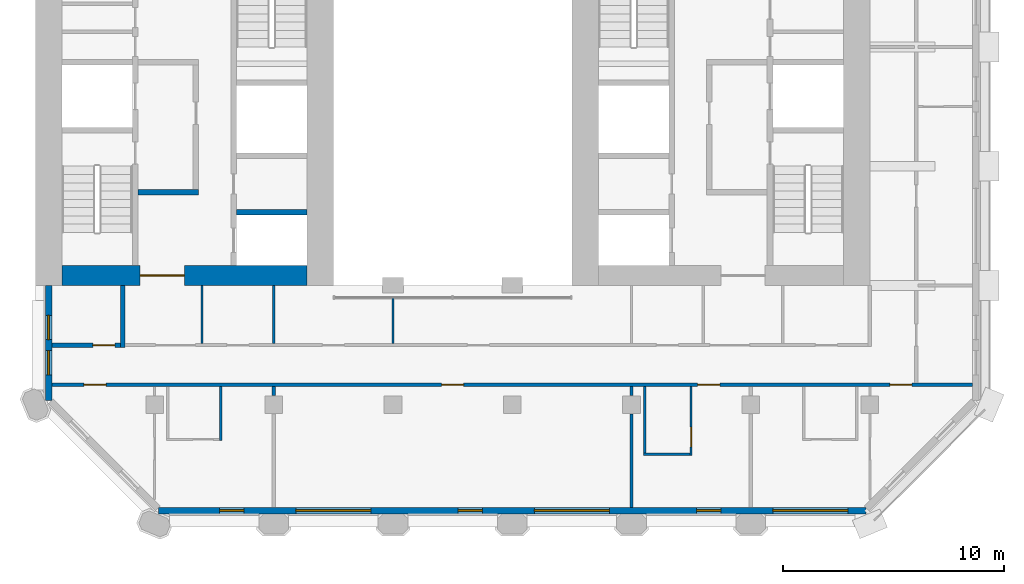
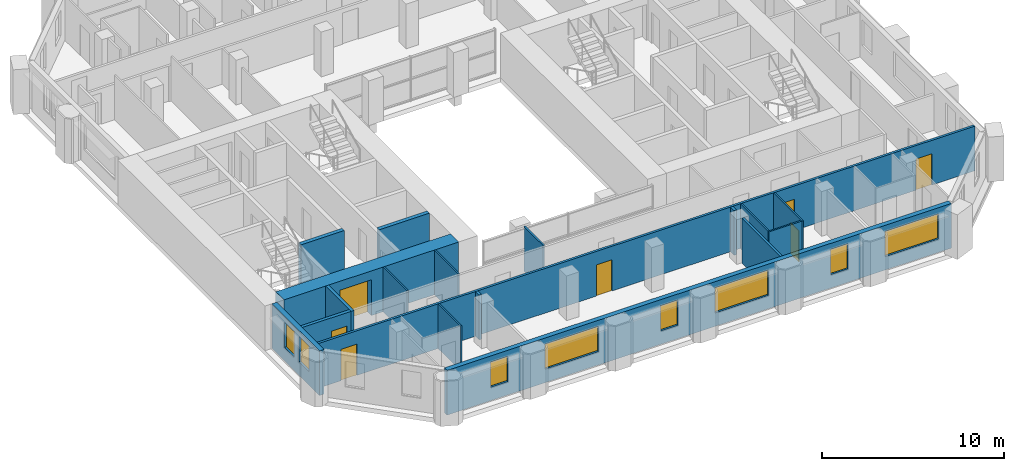
# One storey, part 4 of 12: 18 walls, 8 windows, 7 doors, 15 openings.
"""IFC4 building model written with IfcOpenShell, lengths in metres."""

from ifc_helpers import new_model, si_unit, direction, frame, frame_2d, origin, place, context, subcontext, project, spatial, rectangle, extrude, material, layer, layer_set, type_object, element, fill, save


model = new_model("IFC4")

# Units and contexts
model_context = context("Model", 3, precision=1e-05, world=origin(), true_north=direction((0.0, 1.0)))
body_context = subcontext(model_context, "Body", "Model", "MODEL_VIEW")
ifc_project = project(units=[si_unit("LENGTHUNIT", "METRE"), si_unit("AREAUNIT", "SQUARE_METRE"), si_unit("VOLUMEUNIT", "CUBIC_METRE"), si_unit("PLANEANGLEUNIT", "RADIAN"), si_unit("MASSUNIT", "GRAM", prefix="KILO")], contexts=[model_context])

# Site, building, storey
site_placement = place(None, origin())
site = spatial("IfcSite", under=ifc_project, at=site_placement, CompositionType="ELEMENT")
building_placement = place(site_placement, origin())
building = spatial("IfcBuilding", under=site, at=building_placement, Name="Tabaq Tower and Sports Hall", CompositionType="ELEMENT")
storey_placement = place(building_placement, frame((0.0, 0.0, 197.199951171875)))
storey = spatial("IfcBuildingStorey", under=building, at=storey_placement, Name="L48", CompositionType="ELEMENT", Elevation=197.199951171875)

# Wall, opening, door
ifc_material_1 = material(Name="Concrete C50/60", Category="concrete")
ifc_layer_1 = layer(ifc_material_1, 0.89990234375)
ifc_layer_set_1 = layer_set([ifc_layer_1], Name="Core wall 900 Concrete C50/60")
wall_type_1 = type_object("IfcWallType", Name="Core wall 900 Concrete C50/60", PredefinedType="SOLIDWALL", material=ifc_layer_set_1)
wall_1_placement = place(storey_placement, frame((17.699951171875, 16.64990234375, 0.0), z_axis=(0.0, 0.0, 1.0), x_axis=(-1.0, 0.0, 0.0)))
wall_1 = element("IfcWall", 1, at=wall_1_placement, inside=storey, type_object=wall_type_1, Name="Core wall W L48", PredefinedType="SOLIDWALL", context=body_context, shape_type="SweptSolid", body=[
    extrude(rectangle(XDim=11.099853515625, YDim=0.89990234375, at=frame_2d((5.5498046875, 0.0))), origin(), (0.0, 0.0, 1.0), 3.0),
])
opening_1_placement = place(wall_1_placement, frame((5.550048828125, 0.0, 0.0)))
opening_1 = element("IfcOpeningElement", 2, at=opening_1_placement, cuts=wall_1, Name="Opening PD-WL48-01", PredefinedType="OPENING", context=body_context, shape_type="SweptSolid", body=[
    extrude(rectangle(XDim=2.0, YDim=2.39990234375, at=frame_2d((1.0, 1.199951171875))), frame((0.0, 0.449951171875, 0.0), z_axis=(0.0, -1.0, 0.0), x_axis=(1.0, 0.0, 0.0)), (0.0, 0.0, 1.0), 0.89990234375),
])
ifc_material_2 = material(Name="Steel fire door", Category="steel")
door_type_1 = type_object("IfcDoorType", Name="Core entrance door 2000", OperationType="DOUBLE_DOOR_SINGLE_SWING", PredefinedType="DOOR", material=ifc_material_2)
door_1_placement = place(opening_1_placement, origin())
door_1 = element("IfcDoor", 3, at=door_1_placement, inside=storey, type_object=door_type_1, Name="Core entrance south W L48", OperationType="DOUBLE_DOOR_SINGLE_SWING", OverallHeight=2.39990234375, OverallWidth=2.0, PredefinedType="DOOR", context=body_context, shape_type="SweptSolid", body=[
    extrude(rectangle(XDim=2.0, YDim=2.39990234375, at=frame_2d((1.0, 1.199951171875))), frame((0.0, 0.02490234375, 0.0), z_axis=(0.0, -1.0, 0.0), x_axis=(1.0, 0.0, 0.0)), (0.0, 0.0, 1.0), 0.050048828125),
])
fill(opening_1, door_1)

# Wall
ifc_material_3 = material(Name="Blockwork", Category="masonry")
ifc_layer_2 = layer(ifc_material_3, 0.199951171875)
ifc_layer_set_2 = layer_set([ifc_layer_2], Name="Fire compartment wall 200 Blockwork")
wall_type_2 = type_object("IfcWallType", Name="Fire compartment wall 200 Blockwork", PredefinedType="PARTITIONING", material=ifc_layer_set_2)
wall_2_placement = place(storey_placement, frame((9.35009765625, 16.199951171875, 0.0), z_axis=(0.0, 0.0, 1.0), x_axis=(0.0, -1.0, 0.0)))
element("IfcWall", 4, at=wall_2_placement, inside=storey, type_object=wall_type_2, Name="Compartment wall L48", PredefinedType="PARTITIONING", context=body_context, shape_type="SweptSolid", body=[
    extrude(rectangle(XDim=2.800048828125, YDim=0.199951171875, at=frame_2d((1.39990234375, 0.0))), origin(), (0.0, 0.0, 1.0), 3.0),
])

# Wall, opening, door
wall_3_placement = place(storey_placement, frame((9.25, 13.5, 0.0), z_axis=(0.0, 0.0, 1.0), x_axis=(-1.0, 0.0, 0.0)))
wall_3 = element("IfcWall", 5, at=wall_3_placement, inside=storey, type_object=wall_type_2, Name="Compartment wall L48", PredefinedType="PARTITIONING", context=body_context, shape_type="SweptSolid", body=[
    extrude(rectangle(XDim=3.09912109375, YDim=0.199951171875, at=frame_2d((1.549560546875, 0.0))), origin(), (0.0, 0.0, 1.0), 3.0),
])
opening_2_placement = place(wall_3_placement, frame((0.25, 0.0, 0.0)))
opening_2 = element("IfcOpeningElement", 6, at=opening_2_placement, cuts=wall_3, Name="Opening L48-021", PredefinedType="OPENING", context=body_context, shape_type="SweptSolid", body=[
    extrude(rectangle(XDim=1.0, YDim=2.10009765625, at=frame_2d((0.5, 1.050048828125))), frame((0.0, 0.10009765625, 0.0), z_axis=(0.0, -1.0, 0.0), x_axis=(1.0, 0.0, 0.0)), (0.0, 0.0, 1.0), 0.199951171875),
])
ifc_material_4 = material(Name="Steel fire door", Category="steel")
door_type_2 = type_object("IfcDoorType", Name="Riser door 1000 right hand", OperationType="SINGLE_SWING_RIGHT", PredefinedType="DOOR", material=ifc_material_4)
door_2_placement = place(opening_2_placement, origin())
door_2 = element("IfcDoor", 7, at=door_2_placement, inside=storey, type_object=door_type_2, Name="Riser door L48-021", OperationType="SINGLE_SWING_RIGHT", OverallHeight=2.10009765625, OverallWidth=1.0, PredefinedType="DOOR", context=body_context, shape_type="SweptSolid", body=[
    extrude(rectangle(XDim=1.0, YDim=2.10009765625, at=frame_2d((0.5, 1.050048828125))), frame((0.0, 0.02490234375, 0.0), z_axis=(0.0, -1.0, 0.0), x_axis=(1.0, 0.0, 0.0)), (0.0, 0.0, 1.0), 0.050048828125),
])
fill(opening_2, door_2)

# Wall
ifc_material_5 = material(Name="Gypsum board on steel studs", Category="steel")
ifc_layer_3 = layer(ifc_material_5, 0.10009765625)
ifc_layer_set_3 = layer_set([ifc_layer_3], Name="Partition 100 Gypsum board")
wall_type_3 = type_object("IfcWallType", Name="Partition 100 Gypsum board", PredefinedType="PARTITIONING", material=ifc_layer_set_3)
wall_4_placement = place(storey_placement, frame((13.800048828125, 11.625, 0.0), z_axis=(0.0, 0.0, 1.0), x_axis=(0.0, -1.0, 0.0)))
element("IfcWall", 8, at=wall_4_placement, inside=storey, type_object=wall_type_3, Name="Partition wall L48", PredefinedType="PARTITIONING", context=body_context, shape_type="SweptSolid", body=[
    extrude(rectangle(XDim=2.449951171875, YDim=0.10009765625, at=frame_2d((1.22509765625, 0.0))), origin(), (0.0, 0.0, 1.0), 3.0),
])

# Wall, opening, door
wall_5_placement = place(storey_placement, frame((35.10009765625, 11.625, 0.0), z_axis=(0.0, 0.0, 1.0), x_axis=(0.0, -1.0, 0.0)))
wall_5 = element("IfcWall", 9, at=wall_5_placement, inside=storey, type_object=wall_type_3, Name="Partition wall L48", PredefinedType="PARTITIONING", context=body_context, shape_type="SweptSolid", body=[
    extrude(rectangle(XDim=3.125, YDim=0.10009765625, at=frame_2d((1.5625, 0.0))), origin(), (0.0, 0.0, 1.0), 3.0),
])
opening_3_placement = place(wall_5_placement, frame((1.83740234375, 0.0, 0.0)))
opening_3 = element("IfcOpeningElement", 10, at=opening_3_placement, cuts=wall_5, Name="Opening L48-016", PredefinedType="OPENING", context=body_context, shape_type="SweptSolid", body=[
    extrude(rectangle(XDim=0.89990234375, YDim=2.10009765625, at=frame_2d((0.449951171875, 1.050048828125))), frame((0.0, 0.050048828125, 0.0), z_axis=(0.0, -1.0, 0.0), x_axis=(1.0, 0.0, 0.0)), (0.0, 0.0, 1.0), 0.10009765625),
])
ifc_material_6 = material(Name="Timber leaf in steel frame", Category="steel")
door_type_3 = type_object("IfcDoorType", Name="Internal door 900 left hand", OperationType="SINGLE_SWING_LEFT", PredefinedType="DOOR", material=ifc_material_6)
door_3_placement = place(opening_3_placement, origin())
door_3 = element("IfcDoor", 11, at=door_3_placement, inside=storey, type_object=door_type_3, Name="Internal door L48-016", OperationType="SINGLE_SWING_LEFT", OverallHeight=2.10009765625, OverallWidth=0.89990234375, PredefinedType="DOOR", context=body_context, shape_type="SweptSolid", body=[
    extrude(rectangle(XDim=0.89990234375, YDim=2.10009765625, at=frame_2d((0.449951171875, 1.050048828125))), frame((0.0, 0.02490234375, 0.0), z_axis=(0.0, -1.0, 0.0), x_axis=(1.0, 0.0, 0.0)), (0.0, 0.0, 1.0), 0.050048828125),
])
fill(opening_3, door_3)

# Walls
wall_6_placement = place(storey_placement, frame((35.050048828125, 8.550048828125, 0.0), z_axis=(0.0, 0.0, 1.0), x_axis=(-1.0, 0.0, 0.0)))
element("IfcWall", 12, at=wall_6_placement, inside=storey, type_object=wall_type_3, Name="Partition wall L48", PredefinedType="PARTITIONING", context=body_context, shape_type="SweptSolid", body=[
    extrude(rectangle(XDim=2.10009765625, YDim=0.10009765625, at=frame_2d((1.050048828125, 0.0))), origin(), (0.0, 0.0, 1.0), 3.0),
])
wall_7_placement = place(storey_placement, frame((33.0, 8.60009765625, 0.0), z_axis=(0.0, 0.0, 1.0), x_axis=(0.0, 1.0, 0.0)))
element("IfcWall", 13, at=wall_7_placement, inside=storey, type_object=wall_type_3, Name="Partition wall L48", PredefinedType="PARTITIONING", context=body_context, shape_type="SweptSolid", body=[
    extrude(rectangle(XDim=3.02490234375, YDim=0.10009765625, at=frame_2d((1.512451171875, 0.0))), origin(), (0.0, 0.0, 1.0), 3.0),
])
wall_8_placement = place(storey_placement, frame((16.199951171875, 16.199951171875, 0.0), z_axis=(0.0, 0.0, 1.0), x_axis=(0.0, -1.0, 0.0)))
element("IfcWall", 14, at=wall_8_placement, inside=storey, type_object=wall_type_3, Name="Partition wall L48", PredefinedType="PARTITIONING", context=body_context, shape_type="SweptSolid", body=[
    extrude(rectangle(XDim=2.625, YDim=0.10009765625, at=frame_2d((1.3125, 0.0))), origin(), (0.0, 0.0, 1.0), 3.0),
])
wall_9_placement = place(storey_placement, frame((21.60009765625, 13.574951171875, 0.0), z_axis=(0.0, 0.0, 1.0), x_axis=(0.0, 1.0, 0.0)))
element("IfcWall", 15, at=wall_9_placement, inside=storey, type_object=wall_type_3, Name="Partition wall L48", PredefinedType="PARTITIONING", context=body_context, shape_type="SweptSolid", body=[
    extrude(rectangle(XDim=2.130126953125, YDim=0.10009765625, at=frame_2d((1.06494140625, 0.0))), origin(), (0.0, 0.0, 1.0), 3.0),
])
wall_10_placement = place(storey_placement, frame((12.949951171875, 13.574951171875, 0.0), z_axis=(0.0, 0.0, 1.0), x_axis=(0.0, 1.0, 0.0)))
element("IfcWall", 16, at=wall_10_placement, inside=storey, type_object=wall_type_3, Name="Partition wall L48", PredefinedType="PARTITIONING", context=body_context, shape_type="SweptSolid", body=[
    extrude(rectangle(XDim=2.625, YDim=0.10009765625, at=frame_2d((1.3125, 0.0))), origin(), (0.0, 0.0, 1.0), 3.0),
])
ifc_material_7 = material(Name="Blockwork", Category="masonry")
ifc_layer_4 = layer(ifc_material_7, 0.14990234375)
ifc_layer_set_4 = layer_set([ifc_layer_4], Name="Separating wall 150 Blockwork")
wall_type_4 = type_object("IfcWallType", Name="Separating wall 150 Blockwork", PredefinedType="PARTITIONING", material=ifc_layer_set_4)
wall_11_placement = place(storey_placement, frame((16.199951171875, 11.219970703125, 0.0), z_axis=(0.0, 0.0, 1.0), x_axis=(0.0, 1.0, 0.0)))
element("IfcWall", 17, at=wall_11_placement, inside=storey, type_object=wall_type_4, Name="Separating wall L48", PredefinedType="PARTITIONING", context=body_context, shape_type="SweptSolid", body=[
    extrude(rectangle(XDim=0.405029296875, YDim=0.14990234375, at=frame_2d((0.20263671875, 0.0))), origin(), (0.0, 0.0, 1.0), 3.0),
])
wall_12_placement = place(storey_placement, frame((32.39990234375, 6.15087890625, 0.0), z_axis=(0.0, 0.0, 1.0), x_axis=(0.0, 1.0, 0.0)))
element("IfcWall", 18, at=wall_12_placement, inside=storey, type_object=wall_type_4, Name="Separating wall L48", PredefinedType="PARTITIONING", context=body_context, shape_type="SweptSolid", body=[
    extrude(rectangle(XDim=4.22900390625, YDim=0.14990234375, at=frame_2d((2.114501953125, 0.0))), origin(), (0.0, 0.0, 1.0), 3.0),
])
wall_13_placement = place(storey_placement, frame((32.39990234375, 11.219970703125, 0.0), z_axis=(0.0, 0.0, 1.0), x_axis=(0.0, 1.0, 0.0)))
element("IfcWall", 19, at=wall_13_placement, inside=storey, type_object=wall_type_4, Name="Separating wall L48", PredefinedType="PARTITIONING", context=body_context, shape_type="SweptSolid", body=[
    extrude(rectangle(XDim=0.405029296875, YDim=0.14990234375, at=frame_2d((0.20263671875, 0.0))), origin(), (0.0, 0.0, 1.0), 3.0),
])

# Wall, openings, doors
wall_14_placement = place(storey_placement, frame((6.15087890625, 11.699951171875, 0.0), z_axis=(0.0, 0.0, 1.0), x_axis=(1.0, 0.0, 0.0)))
wall_14 = element("IfcWall", 20, at=wall_14_placement, inside=storey, type_object=wall_type_4, Name="Separating wall L48", PredefinedType="PARTITIONING", context=body_context, shape_type="SweptSolid", body=[
    extrude(rectangle(XDim=41.6982421875, YDim=0.14990234375, at=frame_2d((20.84912109375, 0.0))), origin(), (0.0, 0.0, 1.0), 3.0),
])
opening_4_placement = place(wall_14_placement, frame((17.64892578125, 0.0, 0.0)))
opening_4 = element("IfcOpeningElement", 21, at=opening_4_placement, cuts=wall_14, Name="Opening L48-015", PredefinedType="OPENING", context=body_context, shape_type="SweptSolid", body=[
    extrude(rectangle(XDim=1.0, YDim=2.10009765625, at=frame_2d((0.5, 1.050048828125))), frame((0.0, 0.074951171875, 0.0), z_axis=(0.0, -1.0, 0.0), x_axis=(1.0, 0.0, 0.0)), (0.0, 0.0, 1.0), 0.14990234375),
])
opening_5_placement = place(wall_14_placement, frame((1.448974609375, 0.0, 0.0)))
opening_5 = element("IfcOpeningElement", 22, at=opening_5_placement, cuts=wall_14, Name="Opening L48-035", PredefinedType="OPENING", context=body_context, shape_type="SweptSolid", body=[
    extrude(rectangle(XDim=1.0, YDim=2.10009765625, at=frame_2d((0.5, 1.050048828125))), frame((0.0, 0.074951171875, 0.0), z_axis=(0.0, -1.0, 0.0), x_axis=(1.0, 0.0, 0.0)), (0.0, 0.0, 1.0), 0.14990234375),
])
opening_6_placement = place(wall_14_placement, frame((29.2490234375, 0.0, 0.0)))
opening_6 = element("IfcOpeningElement", 23, at=opening_6_placement, cuts=wall_14, Name="Opening L48-036", PredefinedType="OPENING", context=body_context, shape_type="SweptSolid", body=[
    extrude(rectangle(XDim=1.0, YDim=2.10009765625, at=frame_2d((0.5, 1.050048828125))), frame((0.0, 0.074951171875, 0.0), z_axis=(0.0, -1.0, 0.0), x_axis=(1.0, 0.0, 0.0)), (0.0, 0.0, 1.0), 0.14990234375),
])
opening_7_placement = place(wall_14_placement, frame((37.9541015625, 0.0, 0.0)))
opening_7 = element("IfcOpeningElement", 24, at=opening_7_placement, cuts=wall_14, Name="Opening L48-038", PredefinedType="OPENING", context=body_context, shape_type="SweptSolid", body=[
    extrude(rectangle(XDim=1.0, YDim=2.10009765625, at=frame_2d((0.5, 1.050048828125))), frame((0.0, 0.074951171875, 0.0), z_axis=(0.0, -1.0, 0.0), x_axis=(1.0, 0.0, 0.0)), (0.0, 0.0, 1.0), 0.14990234375),
])
ifc_material_8 = material(Name="Steel fire door", Category="steel")
door_type_4 = type_object("IfcDoorType", Name="Entrance door 1000 left hand", OperationType="SINGLE_SWING_LEFT", PredefinedType="DOOR", material=ifc_material_8)
door_4_placement = place(opening_5_placement, origin())
door_4 = element("IfcDoor", 25, at=door_4_placement, inside=storey, type_object=door_type_4, Name="Entrance door L48-035", OperationType="SINGLE_SWING_LEFT", OverallHeight=2.10009765625, OverallWidth=1.0, PredefinedType="DOOR", context=body_context, shape_type="SweptSolid", body=[
    extrude(rectangle(XDim=1.0, YDim=2.10009765625, at=frame_2d((0.5, 1.050048828125))), frame((0.0, 0.02490234375, 0.0), z_axis=(0.0, -1.0, 0.0), x_axis=(1.0, 0.0, 0.0)), (0.0, 0.0, 1.0), 0.050048828125),
])
fill(opening_5, door_4)
door_5_placement = place(opening_6_placement, origin())
door_5 = element("IfcDoor", 26, at=door_5_placement, inside=storey, type_object=door_type_4, Name="Entrance door L48-036", OperationType="SINGLE_SWING_LEFT", OverallHeight=2.10009765625, OverallWidth=1.0, PredefinedType="DOOR", context=body_context, shape_type="SweptSolid", body=[
    extrude(rectangle(XDim=1.0, YDim=2.10009765625, at=frame_2d((0.5, 1.050048828125))), frame((0.0, 0.02490234375, 0.0), z_axis=(0.0, -1.0, 0.0), x_axis=(1.0, 0.0, 0.0)), (0.0, 0.0, 1.0), 0.050048828125),
])
fill(opening_6, door_5)
door_6_placement = place(opening_7_placement, origin())
door_6 = element("IfcDoor", 27, at=door_6_placement, inside=storey, type_object=door_type_4, Name="Entrance door L48-038", OperationType="SINGLE_SWING_LEFT", OverallHeight=2.10009765625, OverallWidth=1.0, PredefinedType="DOOR", context=body_context, shape_type="SweptSolid", body=[
    extrude(rectangle(XDim=1.0, YDim=2.10009765625, at=frame_2d((0.5, 1.050048828125))), frame((0.0, 0.02490234375, 0.0), z_axis=(0.0, -1.0, 0.0), x_axis=(1.0, 0.0, 0.0)), (0.0, 0.0, 1.0), 0.050048828125),
])
fill(opening_7, door_6)
ifc_material_9 = material(Name="Timber leaf in steel frame", Category="steel")
door_type_5 = type_object("IfcDoorType", Name="Internal door 1000 right hand", OperationType="SINGLE_SWING_RIGHT", PredefinedType="DOOR", material=ifc_material_9)
door_7_placement = place(opening_4_placement, origin())
door_7 = element("IfcDoor", 28, at=door_7_placement, inside=storey, type_object=door_type_5, Name="Internal door L48-015", OperationType="SINGLE_SWING_RIGHT", OverallHeight=2.10009765625, OverallWidth=1.0, PredefinedType="DOOR", context=body_context, shape_type="SweptSolid", body=[
    extrude(rectangle(XDim=1.0, YDim=2.10009765625, at=frame_2d((0.5, 1.050048828125))), frame((0.0, 0.02490234375, 0.0), z_axis=(0.0, -1.0, 0.0), x_axis=(1.0, 0.0, 0.0)), (0.0, 0.0, 1.0), 0.050048828125),
])
fill(opening_4, door_7)

# Walls
ifc_material_10 = material(Name="Concrete C40/50", Category="concrete")
ifc_layer_5 = layer(ifc_material_10, 0.25)
ifc_layer_set_5 = layer_set([ifc_layer_5], Name="Shaft and stair wall 250 Concrete C40/50")
wall_type_5 = type_object("IfcWallType", Name="Shaft and stair wall 250 Concrete C40/50", PredefinedType="SOLIDWALL", material=ifc_layer_set_5)
wall_15_placement = place(storey_placement, frame((10.050048828125, 20.425048828125, 0.0), z_axis=(0.0, 0.0, 1.0), x_axis=(1.0, 0.0, 0.0)))
element("IfcWall", 29, at=wall_15_placement, inside=storey, type_object=wall_type_5, Name="Fire-fighting lobby wall W L48", PredefinedType="SOLIDWALL", context=body_context, shape_type="SweptSolid", body=[
    extrude(rectangle(XDim=2.75, YDim=0.25, at=frame_2d((1.375, 0.0))), origin(), (0.0, 0.0, 1.0), 3.0),
])
wall_16_placement = place(storey_placement, frame((14.5, 19.52490234375, 0.0), z_axis=(0.0, 0.0, 1.0), x_axis=(1.0, 0.0, 0.0)))
element("IfcWall", 30, at=wall_16_placement, inside=storey, type_object=wall_type_5, Name="Shaft wall W L48", PredefinedType="SOLIDWALL", context=body_context, shape_type="SweptSolid", body=[
    extrude(rectangle(XDim=3.199951171875, YDim=0.25, at=frame_2d((1.60009765625, 0.0))), origin(), (0.0, 0.0, 1.0), 3.0),
])

# Wall, openings, windows
ifc_material_11 = material(Name="White precast concrete C60/75", Category="concrete")
ifc_layer_6 = layer(ifc_material_11, 0.300048828125)
ifc_layer_set_6 = layer_set([ifc_layer_6], Name="White precast concrete C60/75 external wall 300")
wall_type_6 = type_object("IfcWallType", Name="White precast concrete C60/75 external wall 300", PredefinedType="SOLIDWALL", material=ifc_layer_set_6)
wall_17_placement = place(storey_placement, frame((10.986328125, 6.0, 0.0), z_axis=(0.0, 0.0, 1.0), x_axis=(1.0, 0.0, 0.0)))
wall_17 = element("IfcWall", 31, at=wall_17_placement, inside=storey, type_object=wall_type_6, Name="External Wall L48 S", PredefinedType="SOLIDWALL", context=body_context, shape_type="SweptSolid", body=[
    extrude(rectangle(XDim=32.02734375, YDim=0.300048828125, at=frame_2d((16.013671875, 0.0))), origin(), (0.0, 0.0, 1.0), 3.0),
])
opening_8_placement = place(wall_17_placement, frame((2.763671875, 0.0, 0.89990234375)))
opening_8 = element("IfcOpeningElement", 32, at=opening_8_placement, cuts=wall_17, Name="Opening W1B", PredefinedType="OPENING", context=body_context, shape_type="SweptSolid", body=[
    extrude(rectangle(XDim=1.10009765625, YDim=1.699951171875, at=frame_2d((0.550048828125, 0.85009765625))), frame((0.0, 0.16015625, 0.0), z_axis=(0.0, -1.0, 0.0), x_axis=(1.0, 0.0, 0.0)), (0.0, 0.0, 1.0), 0.320068359375),
])
opening_9_placement = place(wall_17_placement, frame((6.213623046875, 0.0, 0.89990234375)))
opening_9 = element("IfcOpeningElement", 33, at=opening_9_placement, cuts=wall_17, Name="Opening W1A", PredefinedType="OPENING", context=body_context, shape_type="SweptSolid", body=[
    extrude(rectangle(XDim=3.39990234375, YDim=1.699951171875, at=frame_2d((1.699951171875, 0.85009765625))), frame((0.0, 0.16015625, 0.0), z_axis=(0.0, -1.0, 0.0), x_axis=(1.0, 0.0, 0.0)), (0.0, 0.0, 1.0), 0.320068359375),
])
opening_10_placement = place(wall_17_placement, frame((13.563720703125, 0.0, 0.89990234375)))
opening_10 = element("IfcOpeningElement", 34, at=opening_10_placement, cuts=wall_17, Name="Opening W1B", PredefinedType="OPENING", context=body_context, shape_type="SweptSolid", body=[
    extrude(rectangle(XDim=1.10009765625, YDim=1.699951171875, at=frame_2d((0.550048828125, 0.85009765625))), frame((0.0, 0.16015625, 0.0), z_axis=(0.0, -1.0, 0.0), x_axis=(1.0, 0.0, 0.0)), (0.0, 0.0, 1.0), 0.320068359375),
])
opening_11_placement = place(wall_17_placement, frame((17.013671875, 0.0, 0.89990234375)))
opening_11 = element("IfcOpeningElement", 35, at=opening_11_placement, cuts=wall_17, Name="Opening W1A", PredefinedType="OPENING", context=body_context, shape_type="SweptSolid", body=[
    extrude(rectangle(XDim=3.39990234375, YDim=1.699951171875, at=frame_2d((1.699951171875, 0.85009765625))), frame((0.0, 0.16015625, 0.0), z_axis=(0.0, -1.0, 0.0), x_axis=(1.0, 0.0, 0.0)), (0.0, 0.0, 1.0), 0.320068359375),
])
opening_12_placement = place(wall_17_placement, frame((24.363525390625, 0.0, 0.89990234375)))
opening_12 = element("IfcOpeningElement", 36, at=opening_12_placement, cuts=wall_17, Name="Opening W1B", PredefinedType="OPENING", context=body_context, shape_type="SweptSolid", body=[
    extrude(rectangle(XDim=1.10009765625, YDim=1.699951171875, at=frame_2d((0.550048828125, 0.85009765625))), frame((0.0, 0.16015625, 0.0), z_axis=(0.0, -1.0, 0.0), x_axis=(1.0, 0.0, 0.0)), (0.0, 0.0, 1.0), 0.320068359375),
])
opening_13_placement = place(wall_17_placement, frame((27.813720703125, 0.0, 0.89990234375)))
opening_13 = element("IfcOpeningElement", 37, at=opening_13_placement, cuts=wall_17, Name="Opening W1A", PredefinedType="OPENING", context=body_context, shape_type="SweptSolid", body=[
    extrude(rectangle(XDim=3.39990234375, YDim=1.699951171875, at=frame_2d((1.699951171875, 0.85009765625))), frame((0.0, 0.16015625, 0.0), z_axis=(0.0, -1.0, 0.0), x_axis=(1.0, 0.0, 0.0)), (0.0, 0.0, 1.0), 0.320068359375),
])
ifc_material_12 = material(Name="Aluminium framed clear glazing", Category="aluminium")
window_type_1 = type_object("IfcWindowType", Name="Window W1A", PartitioningType="SINGLE_PANEL", PredefinedType="WINDOW", material=ifc_material_12)
window_1_placement = place(opening_9_placement, origin())
window_1 = element("IfcWindow", 38, at=window_1_placement, inside=storey, type_object=window_type_1, Name="Window W1A L48", OverallHeight=1.699951171875, OverallWidth=3.39990234375, PartitioningType="SINGLE_PANEL", PredefinedType="WINDOW", context=body_context, shape_type="SweptSolid", body=[
    extrude(rectangle(XDim=3.39990234375, YDim=1.699951171875, at=frame_2d((1.699951171875, 0.85009765625))), frame((0.0, 0.030029296875, 0.0), z_axis=(0.0, -1.0, 0.0), x_axis=(1.0, 0.0, 0.0)), (0.0, 0.0, 1.0), 0.06005859375),
])
fill(opening_9, window_1)
window_2_placement = place(opening_11_placement, origin())
window_2 = element("IfcWindow", 39, at=window_2_placement, inside=storey, type_object=window_type_1, Name="Window W1A L48", OverallHeight=1.699951171875, OverallWidth=3.39990234375, PartitioningType="SINGLE_PANEL", PredefinedType="WINDOW", context=body_context, shape_type="SweptSolid", body=[
    extrude(rectangle(XDim=3.39990234375, YDim=1.699951171875, at=frame_2d((1.699951171875, 0.85009765625))), frame((0.0, 0.030029296875, 0.0), z_axis=(0.0, -1.0, 0.0), x_axis=(1.0, 0.0, 0.0)), (0.0, 0.0, 1.0), 0.06005859375),
])
fill(opening_11, window_2)
window_3_placement = place(opening_13_placement, origin())
window_3 = element("IfcWindow", 40, at=window_3_placement, inside=storey, type_object=window_type_1, Name="Window W1A L48", OverallHeight=1.699951171875, OverallWidth=3.39990234375, PartitioningType="SINGLE_PANEL", PredefinedType="WINDOW", context=body_context, shape_type="SweptSolid", body=[
    extrude(rectangle(XDim=3.39990234375, YDim=1.699951171875, at=frame_2d((1.699951171875, 0.85009765625))), frame((0.0, 0.030029296875, 0.0), z_axis=(0.0, -1.0, 0.0), x_axis=(1.0, 0.0, 0.0)), (0.0, 0.0, 1.0), 0.06005859375),
])
fill(opening_13, window_3)
ifc_material_13 = material(Name="Aluminium framed clear glazing", Category="aluminium")
window_type_2 = type_object("IfcWindowType", Name="Window W1B", PartitioningType="SINGLE_PANEL", PredefinedType="WINDOW", material=ifc_material_13)
window_4_placement = place(opening_8_placement, origin())
window_4 = element("IfcWindow", 41, at=window_4_placement, inside=storey, type_object=window_type_2, Name="Window W1B L48", OverallHeight=1.699951171875, OverallWidth=1.10009765625, PartitioningType="SINGLE_PANEL", PredefinedType="WINDOW", context=body_context, shape_type="SweptSolid", body=[
    extrude(rectangle(XDim=1.10009765625, YDim=1.699951171875, at=frame_2d((0.550048828125, 0.85009765625))), frame((0.0, 0.030029296875, 0.0), z_axis=(0.0, -1.0, 0.0), x_axis=(1.0, 0.0, 0.0)), (0.0, 0.0, 1.0), 0.06005859375),
])
fill(opening_8, window_4)
window_5_placement = place(opening_10_placement, origin())
window_5 = element("IfcWindow", 42, at=window_5_placement, inside=storey, type_object=window_type_2, Name="Window W1B L48", OverallHeight=1.699951171875, OverallWidth=1.10009765625, PartitioningType="SINGLE_PANEL", PredefinedType="WINDOW", context=body_context, shape_type="SweptSolid", body=[
    extrude(rectangle(XDim=1.10009765625, YDim=1.699951171875, at=frame_2d((0.550048828125, 0.85009765625))), frame((0.0, 0.030029296875, 0.0), z_axis=(0.0, -1.0, 0.0), x_axis=(1.0, 0.0, 0.0)), (0.0, 0.0, 1.0), 0.06005859375),
])
fill(opening_10, window_5)
window_6_placement = place(opening_12_placement, origin())
window_6 = element("IfcWindow", 43, at=window_6_placement, inside=storey, type_object=window_type_2, Name="Window W1B L48", OverallHeight=1.699951171875, OverallWidth=1.10009765625, PartitioningType="SINGLE_PANEL", PredefinedType="WINDOW", context=body_context, shape_type="SweptSolid", body=[
    extrude(rectangle(XDim=1.10009765625, YDim=1.699951171875, at=frame_2d((0.550048828125, 0.85009765625))), frame((0.0, 0.030029296875, 0.0), z_axis=(0.0, -1.0, 0.0), x_axis=(1.0, 0.0, 0.0)), (0.0, 0.0, 1.0), 0.06005859375),
])
fill(opening_12, window_6)

wall_18_placement = place(storey_placement, frame((6.0, 16.199951171875, 0.0), z_axis=(0.0, 0.0, 1.0), x_axis=(0.0, -1.0, 0.0)))
wall_18 = element("IfcWall", 44, at=wall_18_placement, inside=storey, type_object=wall_type_6, Name="External Wall L48 W", PredefinedType="SOLIDWALL", context=body_context, shape_type="SweptSolid", body=[
    extrude(rectangle(XDim=5.213623046875, YDim=0.300048828125, at=frame_2d((2.60693359375, 0.0))), origin(), (0.0, 0.0, 1.0), 3.0),
])
opening_14_placement = place(wall_18_placement, frame((1.35009765625, 0.0, 0.89990234375)))
opening_14 = element("IfcOpeningElement", 45, at=opening_14_placement, cuts=wall_18, Name="Opening W1B", PredefinedType="OPENING", context=body_context, shape_type="SweptSolid", body=[
    extrude(rectangle(XDim=1.10009765625, YDim=1.699951171875, at=frame_2d((0.550048828125, 0.85009765625))), frame((0.0, 0.16015625, 0.0), z_axis=(0.0, -1.0, 0.0), x_axis=(1.0, 0.0, 0.0)), (0.0, 0.0, 1.0), 0.320068359375),
])
opening_15_placement = place(wall_18_placement, frame((2.949951171875, 0.0, 0.89990234375)))
opening_15 = element("IfcOpeningElement", 46, at=opening_15_placement, cuts=wall_18, Name="Opening W1B", PredefinedType="OPENING", context=body_context, shape_type="SweptSolid", body=[
    extrude(rectangle(XDim=1.10009765625, YDim=1.699951171875, at=frame_2d((0.550048828125, 0.85009765625))), frame((0.0, 0.16015625, 0.0), z_axis=(0.0, -1.0, 0.0), x_axis=(1.0, 0.0, 0.0)), (0.0, 0.0, 1.0), 0.320068359375),
])
window_7_placement = place(opening_14_placement, origin())
window_7 = element("IfcWindow", 47, at=window_7_placement, inside=storey, type_object=window_type_2, Name="Window W1B L48", OverallHeight=1.699951171875, OverallWidth=1.10009765625, PartitioningType="SINGLE_PANEL", PredefinedType="WINDOW", context=body_context, shape_type="SweptSolid", body=[
    extrude(rectangle(XDim=1.10009765625, YDim=1.699951171875, at=frame_2d((0.550048828125, 0.85009765625))), frame((0.0, 0.030029296875, 0.0), z_axis=(0.0, -1.0, 0.0), x_axis=(1.0, 0.0, 0.0)), (0.0, 0.0, 1.0), 0.06005859375),
])
fill(opening_14, window_7)
window_8_placement = place(opening_15_placement, origin())
window_8 = element("IfcWindow", 48, at=window_8_placement, inside=storey, type_object=window_type_2, Name="Window W1B L48", OverallHeight=1.699951171875, OverallWidth=1.10009765625, PartitioningType="SINGLE_PANEL", PredefinedType="WINDOW", context=body_context, shape_type="SweptSolid", body=[
    extrude(rectangle(XDim=1.10009765625, YDim=1.699951171875, at=frame_2d((0.550048828125, 0.85009765625))), frame((0.0, 0.030029296875, 0.0), z_axis=(0.0, -1.0, 0.0), x_axis=(1.0, 0.0, 0.0)), (0.0, 0.0, 1.0), 0.06005859375),
])
fill(opening_15, window_8)

save(model, "model.ifc")
